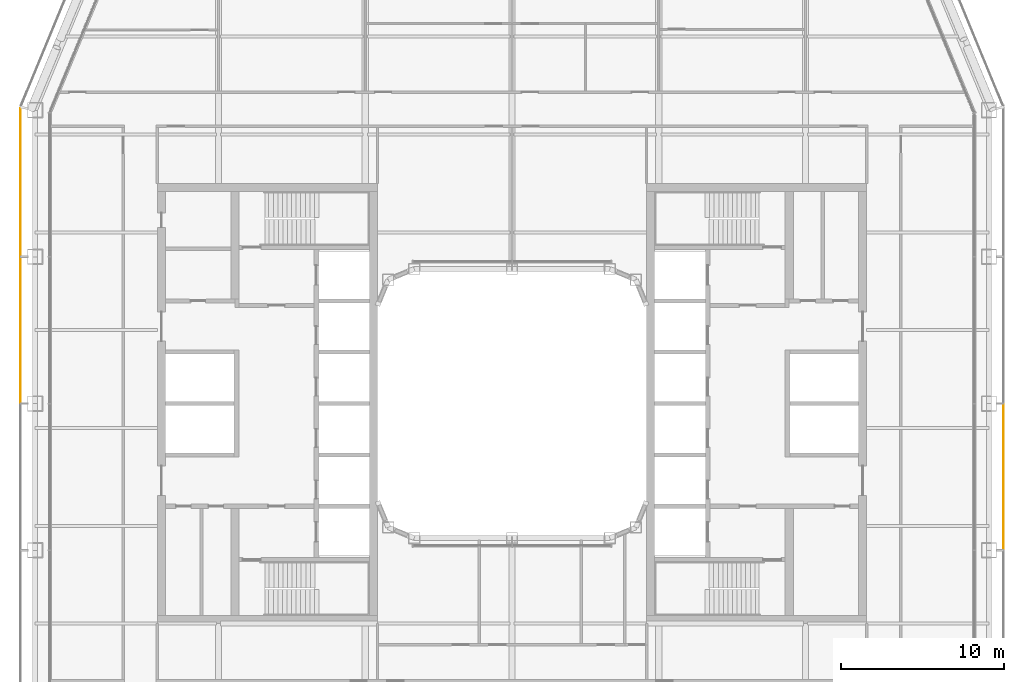
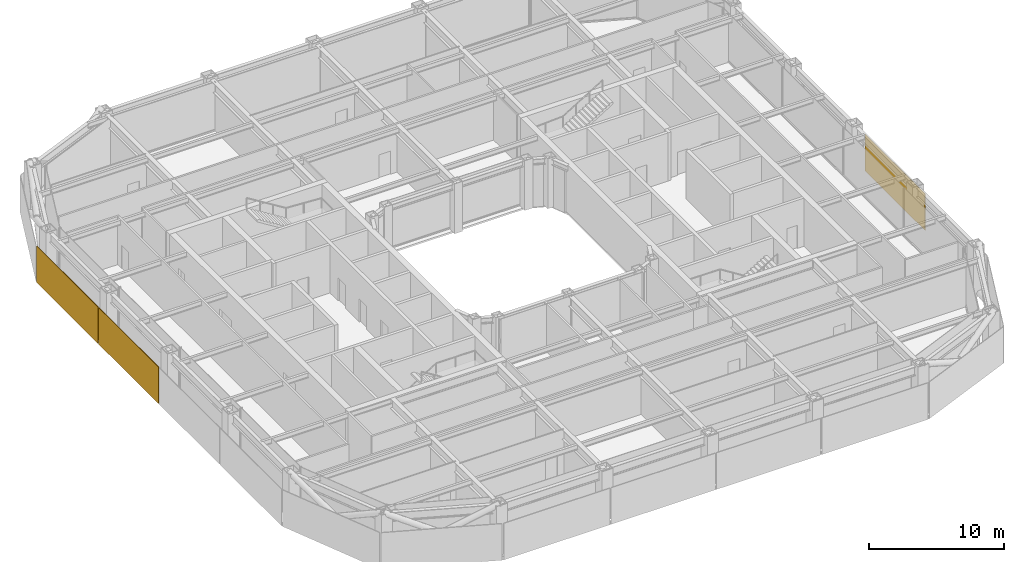
# One storey, part 19 of 21: 3 coverings.
"""IFC4 building model written with IfcOpenShell, lengths in metres."""

from ifc_helpers import new_model, si_unit, direction, frame, origin, origin_2d, place, context, subcontext, project, spatial, rectangle, extrude, material, layer, layer_set, type_object, element, save


model = new_model("IFC4")

# Units and contexts
model_context = context("Model", 3, precision=1e-05, world=origin(), true_north=direction((0.0, 1.0)))
body_context = subcontext(model_context, "Body", "Model", "MODEL_VIEW")
ifc_project = project(units=[si_unit("LENGTHUNIT", "METRE"), si_unit("AREAUNIT", "SQUARE_METRE"), si_unit("VOLUMEUNIT", "CUBIC_METRE"), si_unit("PLANEANGLEUNIT", "RADIAN"), si_unit("MASSUNIT", "GRAM", prefix="KILO")], contexts=[model_context])

# Site, building, storey
site_placement = place(None, origin())
site = spatial("IfcSite", under=ifc_project, at=site_placement, CompositionType="ELEMENT")
building_placement = place(site_placement, origin())
building = spatial("IfcBuilding", under=site, at=building_placement, Name="Siwar Civic Tower", CompositionType="ELEMENT")
storey_placement = place(building_placement, frame((0.0, 0.0, 104.699951171875)))
storey = spatial("IfcBuildingStorey", under=building, at=storey_placement, Name="L22", CompositionType="ELEMENT", Elevation=104.699951171875)

# Coverings
ifc_material_1 = material(Name="Perforated aluminium cassette, pale metal", Category="aluminium")
ifc_layer_1 = layer(ifc_material_1, 0.0400390625)
ifc_layer_set_1 = layer_set([ifc_layer_1], Name="Perforated aluminium cassette, pale metal")
covering_type_1 = type_object("IfcCoveringType", Name="ENV-OUTER SKIN OS-1", PredefinedType="CLADDING", material=ifc_layer_set_1)
covering_1_placement = place(storey_placement, frame((30.14990234375, -4.5, -0.14990234375), z_axis=(0.0, 0.0, 1.0), x_axis=(0.0, 1.0, 0.0)))
element("IfcCovering", 1, at=covering_1_placement, inside=storey, type_object=covering_type_1, Name="OUTER SKIN OS-1 E 2", PredefinedType="CLADDING", context=body_context, shape_type="SweptSolid", body=[
    extrude(rectangle(XDim=8.89990234375, YDim=0.0400390625, at=origin_2d()), origin(), (0.0, 0.0, 1.0), 3.300048828125),
])
ifc_material_2 = material(Name="Perforated aluminium cassette, pale metal", Category="aluminium")
ifc_layer_2 = layer(ifc_material_2, 0.050048828125)
ifc_layer_set_2 = layer_set([ifc_layer_2], Name="Perforated aluminium cassette, pale metal")
covering_type_2 = type_object("IfcCoveringType", Name="ENV-OUTER SKIN OS-3", PredefinedType="CLADDING", material=ifc_layer_set_2)
covering_2_placement = place(storey_placement, frame((-30.14990234375, 13.57958984375, -0.14990234375), z_axis=(0.0, 0.0, 1.0), x_axis=(0.0, -1.0, 0.0)))
element("IfcCovering", 2, at=covering_2_placement, inside=storey, type_object=covering_type_2, Name="OUTER SKIN OS-3 W 1", PredefinedType="CLADDING", context=body_context, shape_type="SweptSolid", body=[
    extrude(rectangle(XDim=9.05908203125, YDim=0.050048828125, at=origin_2d()), origin(), (0.0, 0.0, 1.0), 3.300048828125),
])
covering_3_placement = place(storey_placement, frame((-30.14990234375, 4.5, -0.14990234375), z_axis=(0.0, 0.0, 1.0), x_axis=(0.0, -1.0, 0.0)))
element("IfcCovering", 3, at=covering_3_placement, inside=storey, type_object=covering_type_2, Name="OUTER SKIN OS-3 W 2", PredefinedType="CLADDING", context=body_context, shape_type="SweptSolid", body=[
    extrude(rectangle(XDim=8.89990234375, YDim=0.050048828125, at=origin_2d()), origin(), (0.0, 0.0, 1.0), 3.300048828125),
])

save(model, "model.ifc")
